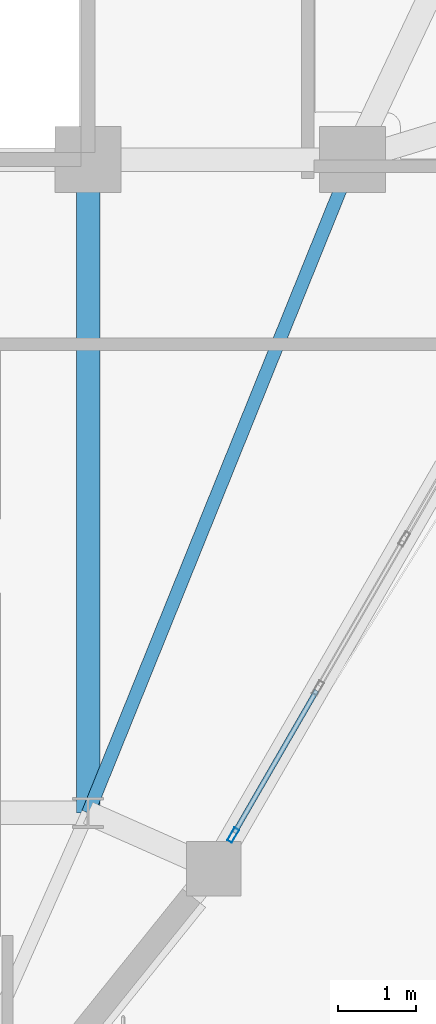
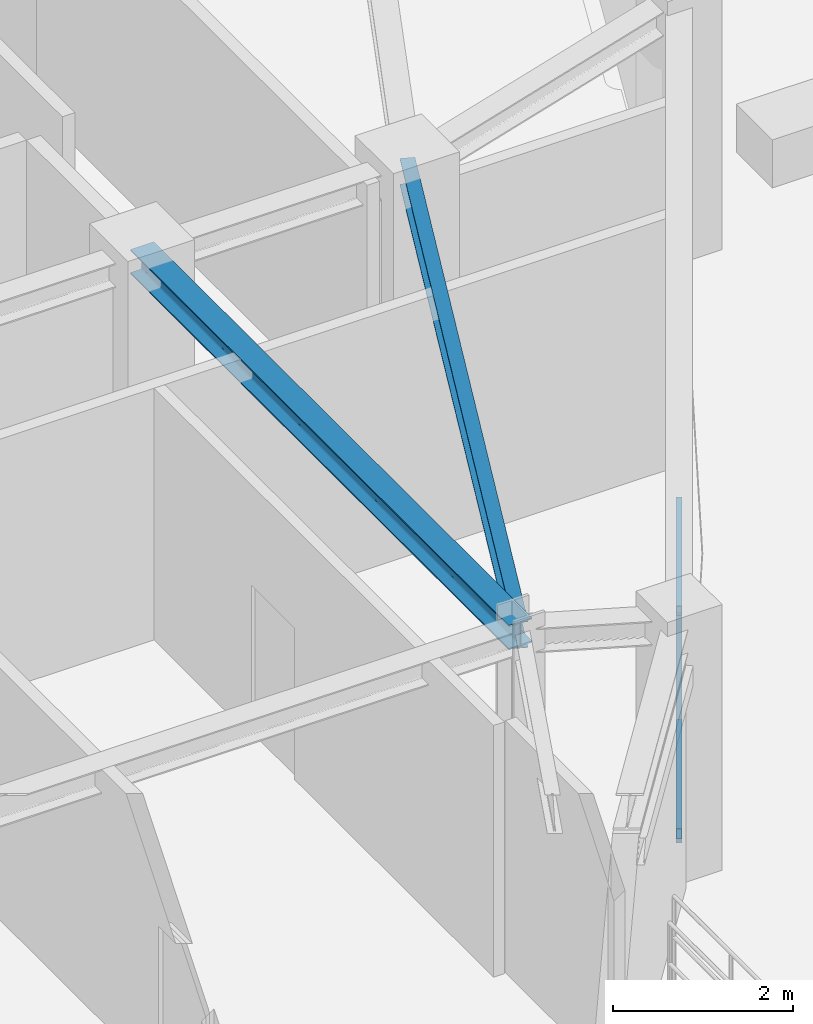
# One storey, part 4 of 16: 3 members, 2 beams, 1 element without a shape of its own.
"""IFC4 building model written with IfcOpenShell, lengths in metres."""

from ifc_helpers import new_model, si_unit, derived_unit, direction, frame, origin, origin_2d, place, context, subcontext, project, spatial, hollow_rectangle, i_section, extrude, source, transform, mapped, material, layer, layer_set, material_profile, profile_set, type_object, element, aggregate, save


model = new_model("IFC4")

# Units and contexts
model_context = context("Model", 3, precision=1e-05, world=origin(), true_north=direction((0.0, 1.0)))
body_context = subcontext(model_context, "Body", "Model", "MODEL_VIEW")
ifc_project = project(units=[si_unit("LENGTHUNIT", "METRE"), si_unit("AREAUNIT", "SQUARE_METRE"), si_unit("VOLUMEUNIT", "CUBIC_METRE"), si_unit("PLANEANGLEUNIT", "RADIAN"), si_unit("MASSUNIT", "GRAM", prefix="KILO"), derived_unit("THERMALTRANSMITTANCEUNIT", [(si_unit("POWERUNIT", "WATT"), 1), (si_unit("LENGTHUNIT", "METRE"), -2), (si_unit("THERMODYNAMICTEMPERATUREUNIT", "KELVIN"), -1)])], contexts=[model_context])

# Site, building, storey
site_placement = place(None, origin())
site = spatial("IfcSite", under=ifc_project, at=site_placement, CompositionType="ELEMENT")
building_placement = place(site_placement, origin())
building = spatial("IfcBuilding", under=site, at=building_placement, Name="Korsvarv Bourse and Concert Hall", CompositionType="ELEMENT")
storey_placement = place(building_placement, frame((0.0, 0.0, 243.0)))
storey = spatial("IfcBuildingStorey", under=building, at=storey_placement, Name="L63", CompositionType="ELEMENT", Elevation=243.0)

# Beams
ifc_material_1 = material(Name="Steel S355", Category="steel")
ifc_material_profile_1 = material_profile(ifc_material_1, i_section(OverallWidth=0.169921875, OverallDepth=0.360107421875, WebThickness=0.008056640625, FlangeThickness=0.0126953125, FilletRadius=0.01806640625, at=origin_2d()), Name="IPE 360")
ifc_profile_set_1 = profile_set([ifc_material_profile_1], Name="Steel S355")
beam_type_1 = type_object("IfcBeamType", Name="BM-IPE360", PredefinedType="JOIST", material=ifc_profile_set_1)
shared_shape_1 = source(origin(), body_context, "Body", "SweptSolid", [
    extrude(i_section(OverallWidth=0.169921875, OverallDepth=0.360107421875, WebThickness=0.008056640625, FlangeThickness=0.0126953125, FilletRadius=0.01806640625, at=origin_2d()), origin(), (0.0, 0.0, 1.0), 9.06201171875),
])
beam_1_placement = place(storey_placement, frame((47.800048828125, 32.39990234375, 3.22998046875), z_axis=(-0.375210394783, -0.926939674222, 0.0), x_axis=(0.926939674222, -0.375210394783, 0.0)))
element("IfcBeam", 1, at=beam_1_placement, inside=storey, type_object=beam_type_1, Name="L63 beam J-06", PredefinedType="JOIST", context=body_context, shape_type="MappedRepresentation", body=[
    mapped(shared_shape_1, transform((0.0, 0.0, 0.0), scale=1.0)),
])
ifc_material_profile_2 = material_profile(ifc_material_1, i_section(OverallWidth=0.300048828125, OverallDepth=0.330078125, WebThickness=0.009521484375, FlangeThickness=0.0166015625, FilletRadius=0.02099609375, at=origin_2d()), Name="HEA 340")
ifc_profile_set_2 = profile_set([ifc_material_profile_2], Name="Steel S355")
beam_type_2 = type_object("IfcBeamType", Name="BM-HEA340", PredefinedType="BEAM", material=ifc_profile_set_2)
shared_shape_2 = source(origin(), body_context, "Body", "SweptSolid", [
    extrude(i_section(OverallWidth=0.300048828125, OverallDepth=0.330078125, WebThickness=0.009521484375, FlangeThickness=0.0166015625, FilletRadius=0.02099609375, at=origin_2d()), origin(), (0.0, 0.0, 1.0), 8.39990234375),
])
beam_2_placement = place(storey_placement, frame((44.39990234375, 24.0, 3.2451171875), z_axis=(0.0, 1.0, 0.0), x_axis=(-1.0, 0.0, 0.0)))
element("IfcBeam", 2, at=beam_2_placement, inside=storey, type_object=beam_type_2, Name="L63 beam B-12", PredefinedType="BEAM", context=body_context, shape_type="MappedRepresentation", body=[
    mapped(shared_shape_2, transform((0.0, 0.0, 0.0), scale=1.0)),
])

# Curtain wall, members
ifc_material_2 = material(Name="Anodised aluminium and triple low-E glazing", Category="glass")
ifc_layer = layer(ifc_material_2, 0.199951171875)
ifc_layer_set = layer_set([ifc_layer], Name="Anodised aluminium and triple low-E glazing")
curtain_wall_type = type_object("IfcCurtainWallType", Name="CW-SYS-3", PredefinedType="NOTDEFINED", material=ifc_layer_set)
curtain_wall_placement = place(storey_placement, origin())
curtain_wall = element("IfcCurtainWall", 3, at=curtain_wall_placement, inside=storey, type_object=curtain_wall_type, Name="L63 CW3 curtain wall CW-L63-F11", PredefinedType="NOTDEFINED")
ifc_material_3 = material(Name="Extruded aluminium EN AW-6063 T66", Category="aluminium")
ifc_material_profile_3 = material_profile(ifc_material_3, hollow_rectangle(XDim=0.070068359375, YDim=0.18994140625, WallThickness=0.0048828125, at=origin_2d()), Name="ALU-M 70x190")
ifc_profile_set_3 = profile_set([ifc_material_profile_3], Name="Extruded aluminium EN AW-6063 T66")
member_type_1 = type_object("IfcMemberType", Name="CWM-190", PredefinedType="MULLION", material=ifc_profile_set_3)
shared_shape_3 = source(origin(), body_context, "Body", "SweptSolid", [
    extrude(hollow_rectangle(XDim=0.070068359375, YDim=0.18994140625, WallThickness=0.0048828125, at=origin_2d()), origin(), (0.0, 0.0, 1.0), 3.080078125),
])
member_1_placement = place(storey_placement, frame((46.264892578125, 23.714111328125, 0.0), z_axis=(0.0, 0.0, 1.0), x_axis=(-0.866021686907, 0.500006437765, 0.0)))
member_1 = element("IfcMember", 4, at=member_1_placement, type_object=member_type_1, Name="CW3 mullion 1", PredefinedType="MULLION", context=body_context, shape_type="MappedRepresentation", body=[
    mapped(shared_shape_3, transform((0.0, 0.0, 0.0), scale=1.0)),
])
ifc_material_profile_4 = material_profile(ifc_material_3, hollow_rectangle(XDim=0.06494140625, YDim=0.139892578125, WallThickness=0.00390625, at=origin_2d()), Name="ALU-T 65x140")
ifc_profile_set_4 = profile_set([ifc_material_profile_4], Name="Extruded aluminium EN AW-6063 T66")
member_type_2 = type_object("IfcMemberType", Name="CWT-140", PredefinedType="USERDEFINED", material=ifc_profile_set_4)
shared_shape_4 = source(origin(), body_context, "Body", "SweptSolid", [
    extrude(hollow_rectangle(XDim=0.06494140625, YDim=0.139892578125, WallThickness=0.00390625, at=origin_2d()), origin(), (0.0, 0.0, 1.0), 2.112060546875),
])
member_2_placement = place(storey_placement, frame((46.282470703125, 23.744384765625, 0.032470703125), z_axis=(0.499955938198, 0.866050841383, 0.0), x_axis=(-0.866050841383, 0.499955938198, 0.0)))
member_2 = element("IfcMember", 5, at=member_2_placement, type_object=member_type_2, Name="CW3 transom 1.1", ObjectType="TRANSOM", PredefinedType="USERDEFINED", context=body_context, shape_type="MappedRepresentation", body=[
    mapped(shared_shape_4, transform((0.0, 0.0, 0.0), scale=1.0)),
])
member_3_placement = place(storey_placement, frame((46.282470703125, 23.744384765625, 3.047607421875), z_axis=(0.499955938198, 0.866050841383, 0.0), x_axis=(-0.866050841383, 0.499955938198, 0.0)))
member_3 = element("IfcMember", 6, at=member_3_placement, type_object=member_type_2, Name="CW3 transom 1.2", ObjectType="TRANSOM", PredefinedType="USERDEFINED", context=body_context, shape_type="MappedRepresentation", body=[
    mapped(shared_shape_4, transform((0.0, 0.0, 0.0), scale=1.0)),
])
aggregate(curtain_wall, [member_1, member_2, member_3])

save(model, "model.ifc")
